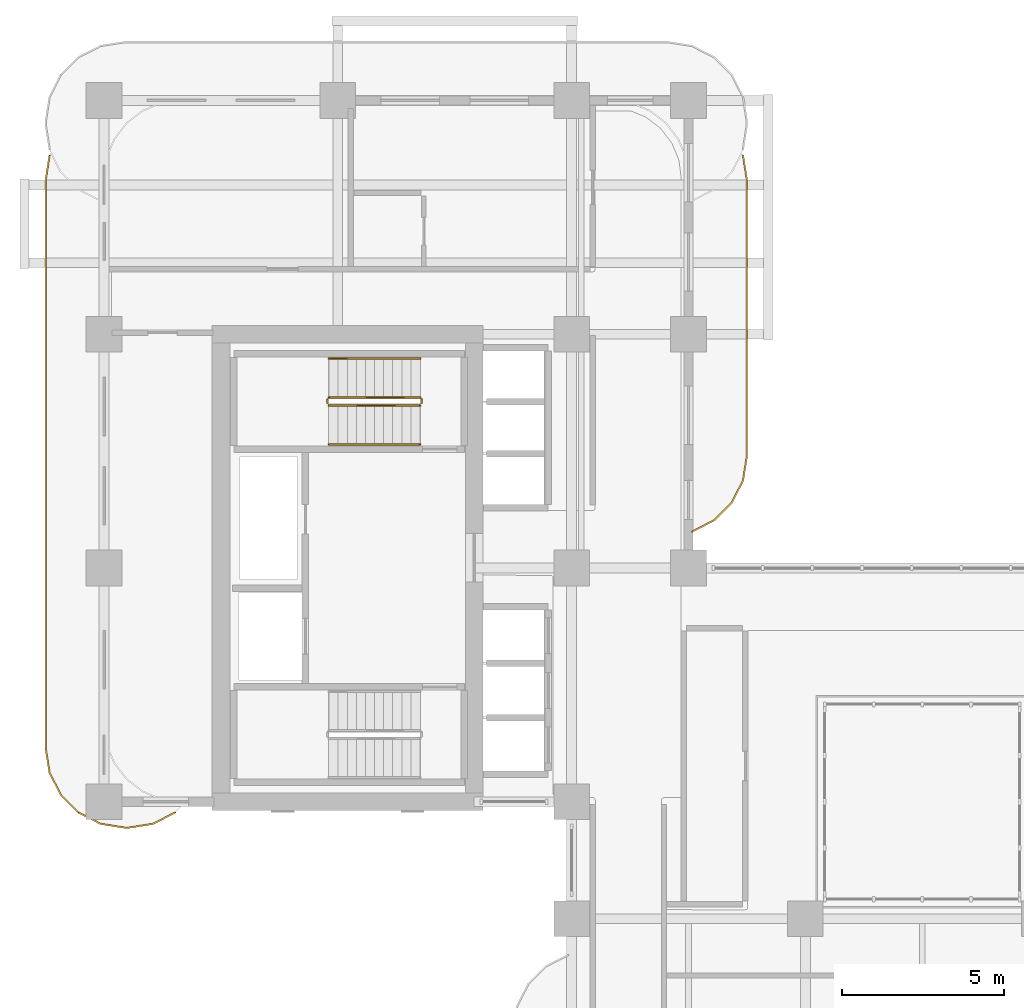
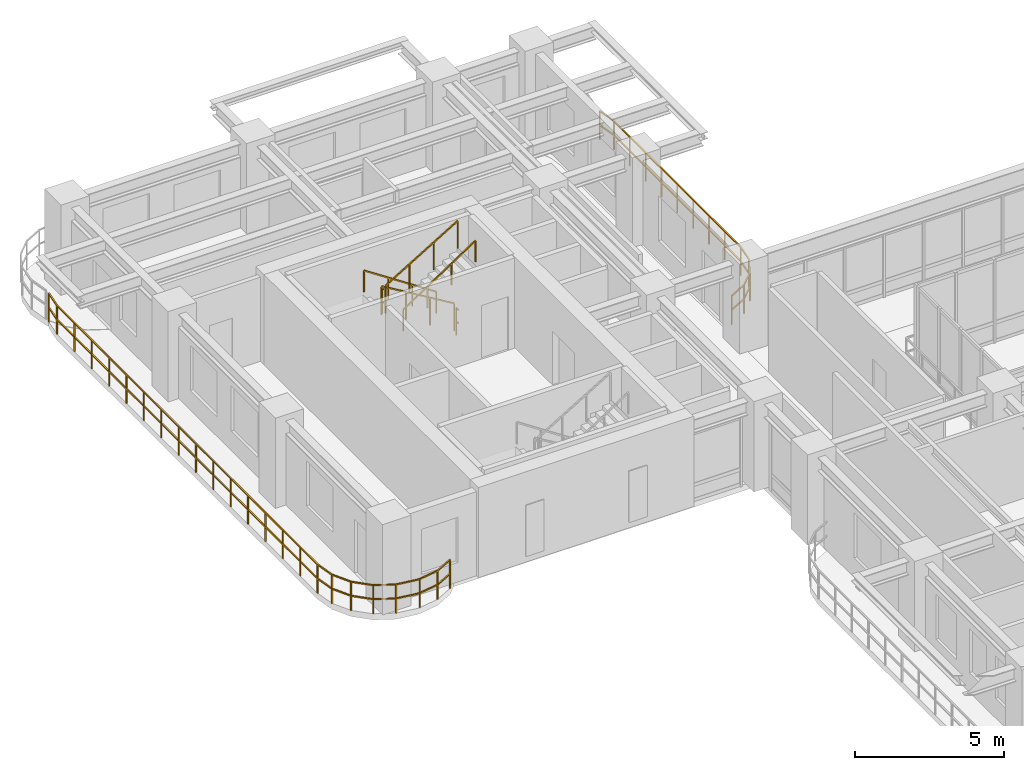
# One storey, part 21 of 22: 8 railings.
"""IFC4 building model written with IfcOpenShell, lengths in metres."""

import ifcopenshell
import ifcopenshell.guid

model = None  # the IFC model being written
_history = None  # IfcOwnerHistory: only IFC2X3 demands one
_inside = {}  # id of a spatial element -> (the spatial element, [elements in it])
_under = {}  # id of a project, library or spatial element -> (it, [spatial elements below it])
_declared = {}  # id of a project -> (the project, [libraries it declares])
_typed = {}  # id of a type object -> (the type object, [elements of that type])
_made_of = {}  # id of a material, layer set ... -> (it, [elements and type objects made of it])


def new_model(schema):
    """Start an empty IFC model of exactly this schema.

    Asked for "IFC4X3", IfcOpenShell would pick the latest addendum, in which some entities
    have other attributes; the version numbers below select the first issue.
    IFC2X3 requires an IfcOwnerHistory on every rooted entity: one is made here for all.
    """
    global model, _history
    if schema == "IFC4X3":
        model = ifcopenshell.file(schema_version=(4, 3, 0, 0))
    else:
        model = ifcopenshell.file(schema=schema)
    _inside.clear()
    _under.clear()
    _declared.clear()
    _typed.clear()
    _made_of.clear()
    _history = None
    if model.schema == "IFC2X3":
        org = make("IfcOrganization", Name="unknown")
        user = make(
            "IfcPersonAndOrganization",
            ThePerson=make("IfcPerson", FamilyName="unknown"),
            TheOrganization=org,
        )
        app = make(
            "IfcApplication",
            ApplicationDeveloper=org,
            Version="unknown",
            ApplicationFullName="unknown",
            ApplicationIdentifier="unknown",
        )
        _history = make(
            "IfcOwnerHistory",
            OwningUser=user,
            OwningApplication=app,
            ChangeAction="ADDED",
            CreationDate=0,
        )
    return model


def make(cls, **values):
    """One entity of the class cls with the attributes given. An attribute that is None is left unset."""
    return model.create_entity(
        cls, **{name: value for name, value in values.items() if value is not None}
    )


def rooted(cls, **values):
    """An entity with a GlobalId (a new one), such as an element, a storey or a relation."""
    return make(cls, GlobalId=ifcopenshell.guid.new(), OwnerHistory=_history, **values)


def si_unit(unit_type, name, prefix=None):
    """IfcSIUnit, for example si_unit("LENGTHUNIT", "METRE", prefix="MILLI")."""
    return make("IfcSIUnit", UnitType=unit_type, Prefix=prefix, Name=name)


def derived_unit(unit_type, elements):
    """IfcDerivedUnit: a product of units, each with its exponent."""
    return make(
        "IfcDerivedUnit",
        Elements=[
            make("IfcDerivedUnitElement", Unit=unit, Exponent=power)
            for unit, power in elements
        ],
        UnitType=unit_type,
    )


def assignment(units):
    """IfcUnitAssignment: the units of a project."""
    return None if units is None else make("IfcUnitAssignment", Units=units)


def point(xyz):
    """IfcCartesianPoint."""
    return None if xyz is None else make("IfcCartesianPoint", Coordinates=xyz)


def direction(xyz):
    """IfcDirection."""
    return None if xyz is None else make("IfcDirection", DirectionRatios=xyz)


def frame(location, z_axis=None, x_axis=None):
    """IfcAxis2Placement3D, a coordinate frame: its origin and axes. An axis left out is left unset."""
    return make(
        "IfcAxis2Placement3D",
        Location=point(location),
        Axis=direction(z_axis),
        RefDirection=direction(x_axis),
    )


def frame_2d(location, x_axis=None):
    """IfcAxis2Placement2D, a coordinate frame in the plane: its origin and x axis."""
    return make(
        "IfcAxis2Placement2D", Location=point(location), RefDirection=direction(x_axis)
    )


def origin():
    """The frame at (0, 0, 0) with its axes left unset."""
    return frame((0.0, 0.0, 0.0))


def origin_2d():
    """The frame at (0, 0) in the plane with its x axis left unset."""
    return frame_2d((0.0, 0.0))


def place(relative_to, where):
    """IfcLocalPlacement: puts the frame where relative to a parent placement (None: the world)."""
    return make(
        "IfcLocalPlacement", PlacementRelTo=relative_to, RelativePlacement=where
    )


def context(
    kind, dimensions, precision=None, world=None, true_north=None, identifier=None
):
    """IfcGeometricRepresentationContext, for example the 3D "Model" context."""
    return make(
        "IfcGeometricRepresentationContext",
        ContextIdentifier=identifier,
        ContextType=kind,
        CoordinateSpaceDimension=dimensions,
        Precision=precision,
        WorldCoordinateSystem=world,
        TrueNorth=true_north,
    )


def subcontext(parent, identifier, kind, view, scale=None):
    """IfcGeometricRepresentationSubContext, for example "Body" below "Model"."""
    return make(
        "IfcGeometricRepresentationSubContext",
        ContextIdentifier=identifier,
        ContextType=kind,
        ParentContext=parent,
        TargetScale=scale,
        TargetView=view,
    )


def project(units=None, contexts=None):
    """IfcProject with its units and contexts."""
    return rooted(
        "IfcProject",
        Name="project",
        RepresentationContexts=contexts,
        UnitsInContext=assignment(units),
    )


def spatial(cls, under=None, at=None, **own):
    """A site, building, storey or space (cls), placed at a placement, below another one or the project."""
    s = rooted(cls, ObjectPlacement=at, **own)
    if under is not None:
        _under.setdefault(under.id(), (under, []))[1].append(s)
    return s


def profile(cls, at=None, kind="AREA", **sizes):
    """A parametric profile (cls). Its sizes go by their IFC names, for example OverallWidth=200.0."""
    return make(cls, ProfileType=kind, Position=at, **sizes)


def rectangle(**sizes):
    """IfcRectangleProfileDef."""
    return profile("IfcRectangleProfileDef", **sizes)


def extrude(swept, where, along, depth):
    """IfcExtrudedAreaSolid: the profile swept, set in the frame where, extruded along a direction by depth."""
    return make(
        "IfcExtrudedAreaSolid",
        SweptArea=swept,
        Position=where,
        ExtrudedDirection=direction(along),
        Depth=depth,
    )


def shape(context_of_items, identifier, shape_type, items):
    """IfcShapeRepresentation: the items that make up one representation, for example the "Body"."""
    return make(
        "IfcShapeRepresentation",
        ContextOfItems=context_of_items,
        RepresentationIdentifier=identifier,
        RepresentationType=shape_type,
        Items=items,
    )


def material(Name=None, Category=None):
    """IfcMaterial."""
    return make("IfcMaterial", Name=Name, Category=Category)


def made_of(thing, what):
    """Note that an element or type object is made of a material, layer set ...; save() writes the relation."""
    if what is not None:
        _made_of.setdefault(what.id(), (what, []))[1].append(thing)
    return thing


def type_object(cls, material=None, **own):
    """A type object (cls), such as IfcWallType, which elements share."""
    return made_of(rooted(cls, **own), material)


def element(
    cls,
    number,
    at=None,
    inside=None,
    cuts=None,
    type_object=None,
    material=None,
    context=None,
    identifier="Body",
    shape_type=None,
    held_by="IfcProductDefinitionShape",
    body=None,
    shapes=None,
    **own,
):
    """One element of the class cls, such as IfcWall. Its Tag is "e" and its number.

    at: its placement. inside: the storey or other place that contains it. cuts: it is an
    opening in that element (IfcRelVoidsElement). A single representation is given by context,
    identifier, shape_type and body (its items); several are given by shapes. held_by: the class
    of the entity that holds the representations. save() writes the other relations.
    """
    e = rooted(cls, Tag="e%d" % number, ObjectPlacement=at, **own)
    if body is not None:
        shapes = [shape(context, identifier, shape_type, body)]
    if shapes is not None:
        e.Representation = make(held_by, Representations=shapes)
    if inside is not None:
        _inside.setdefault(inside.id(), (inside, []))[1].append(e)
    if cuts is not None:
        rooted(
            "IfcRelVoidsElement", RelatingBuildingElement=cuts, RelatedOpeningElement=e
        )
    if type_object is not None:
        _typed.setdefault(type_object.id(), (type_object, []))[1].append(e)
    return made_of(e, material)


def aggregate(whole, parts):
    """IfcRelAggregates: a whole, such as a stair, and the parts it consists of."""
    return rooted("IfcRelAggregates", RelatingObject=whole, RelatedObjects=parts)


def save(model, path):
    """Write the relations noted so far, then the file.

    IfcRelAggregates (storeys below a building ...), IfcRelContainedInSpatialStructure (elements
    in a storey), IfcRelDefinesByType, IfcRelAssociatesMaterial and IfcRelDeclares: one each for
    every whole, place, type object, material and project.
    """
    for whole, parts in _under.values():
        aggregate(whole, parts)
    for where, things in _inside.values():
        rooted(
            "IfcRelContainedInSpatialStructure",
            RelatedElements=things,
            RelatingStructure=where,
        )
    for kind, things in _typed.values():
        rooted("IfcRelDefinesByType", RelatedObjects=things, RelatingType=kind)
    for what, things in _made_of.values():
        rooted("IfcRelAssociatesMaterial", RelatedObjects=things, RelatingMaterial=what)
    for by, libraries in _declared.values():
        rooted("IfcRelDeclares", RelatingContext=by, RelatedDefinitions=libraries)
    model.write(path)


model = new_model("IFC4")

# Units and contexts
model_context = context("Model", 3, precision=1e-05, world=origin(), true_north=direction((0.0, 1.0)))
body_context = subcontext(model_context, "Body", "Model", "MODEL_VIEW")
ifc_project = project(units=[si_unit("LENGTHUNIT", "METRE"), si_unit("AREAUNIT", "SQUARE_METRE"), si_unit("VOLUMEUNIT", "CUBIC_METRE"), si_unit("PLANEANGLEUNIT", "RADIAN"), si_unit("MASSUNIT", "GRAM", prefix="KILO"), si_unit("THERMODYNAMICTEMPERATUREUNIT", "KELVIN"), si_unit("POWERUNIT", "WATT"), derived_unit("THERMALTRANSMITTANCEUNIT", [(si_unit("POWERUNIT", "WATT"), 1), (si_unit("AREAUNIT", "SQUARE_METRE"), -1), (si_unit("THERMODYNAMICTEMPERATUREUNIT", "KELVIN"), -1)])], contexts=[model_context])

# Site, building, storey
site_placement = place(None, origin())
site = spatial("IfcSite", under=ifc_project, at=site_placement, CompositionType="ELEMENT")
building_placement = place(site_placement, origin())
building = spatial("IfcBuilding", under=site, at=building_placement, Name="Zahravan Archway Hotel and Residences", CompositionType="ELEMENT")
storey_placement = place(building_placement, frame((0.0, 0.0, 73.10009765625)))
storey = spatial("IfcBuildingStorey", under=building, at=storey_placement, Name="L17", CompositionType="ELEMENT", Elevation=73.10009765625)

# Railings
ifc_material_1 = material(Name="Bronze & Laminated Glass Balustrade", Category="glass")
railing_type_1 = type_object("IfcRailingType", Name="RL-BAL-1200", PredefinedType="BALUSTRADE", material=ifc_material_1)
railing_1_placement = place(storey_placement, frame((2.190185546875, 24.867919921875, 0.0)))
element("IfcRailing", 1, at=railing_1_placement, inside=storey, type_object=railing_type_1, Name="L17 Balustrade RL-SLB-BAL-L17-WB-1", PredefinedType="BALUSTRADE", context=body_context, shape_type="SweptSolid", body=[
    extrude(rectangle(XDim=0.048095703125, YDim=0.048095703125, at=origin_2d()), frame((0.0, 0.0, 1.17578125), z_axis=(-0.891090529897, -0.453825591531, 0.0), x_axis=(0.453825591531, -0.891090529897, 0.0)), (0.0, 0.0, 1.0), 0.7666015625),
    extrude(rectangle(XDim=0.048095703125, YDim=0.048095703125, at=origin_2d()), frame((0.0, 0.0, 0.60009765625), z_axis=(-0.891090529897, -0.453825591531, 0.0), x_axis=(0.453825591531, -0.891090529897, 0.0)), (0.0, 0.0, 1.0), 0.7666015625),
    extrude(rectangle(XDim=0.048095703125, YDim=0.048095703125, at=origin_2d()), frame((-0.68310546875, -0.347900390625, 1.17578125), z_axis=(-0.987646484274, -0.156698507018, 0.0), x_axis=(0.156698507018, -0.987646484274, 0.0)), (0.0, 0.0, 1.0), 0.7666015625),
    extrude(rectangle(XDim=0.048095703125, YDim=0.048095703125, at=origin_2d()), frame((-0.68310546875, -0.347900390625, 0.60009765625), z_axis=(-0.987646484274, -0.156698507018, 0.0), x_axis=(0.156698507018, -0.987646484274, 0.0)), (0.0, 0.0, 1.0), 0.7666015625),
    extrude(rectangle(XDim=0.048095703125, YDim=0.048095703125, at=origin_2d()), frame((-1.440185546875, -0.468017578125, 1.17578125), z_axis=(-1.0, 0.0, 0.0), x_axis=(0.0, -1.0, 0.0)), (0.0, 0.0, 1.0), 0.10009765625),
    extrude(rectangle(XDim=0.048095703125, YDim=0.048095703125, at=origin_2d()), frame((-1.440185546875, -0.468017578125, 0.60009765625), z_axis=(-1.0, 0.0, 0.0), x_axis=(0.0, -1.0, 0.0)), (0.0, 0.0, 1.0), 0.10009765625),
    extrude(rectangle(XDim=0.048095703125, YDim=0.048095703125, at=origin_2d()), frame((-1.540283203125, -0.468017578125, 1.17578125), z_axis=(-0.987646484274, 0.156698507018, 0.0), x_axis=(-0.156698507018, -0.987646484274, 0.0)), (0.0, 0.0, 1.0), 0.7666015625),
    extrude(rectangle(XDim=0.048095703125, YDim=0.048095703125, at=origin_2d()), frame((-1.540283203125, -0.468017578125, 0.60009765625), z_axis=(-0.987646484274, 0.156698507018, 0.0), x_axis=(-0.156698507018, -0.987646484274, 0.0)), (0.0, 0.0, 1.0), 0.7666015625),
    extrude(rectangle(XDim=0.048095703125, YDim=0.048095703125, at=origin_2d()), frame((-2.29736328125, -0.347900390625, 1.17578125), z_axis=(-0.891024909783, 0.453954414172, 0.0), x_axis=(-0.453954414172, -0.891024909783, 0.0)), (0.0, 0.0, 1.0), 0.766357421875),
    extrude(rectangle(XDim=0.048095703125, YDim=0.048095703125, at=origin_2d()), frame((-2.29736328125, -0.347900390625, 0.60009765625), z_axis=(-0.891024909783, 0.453954414172, 0.0), x_axis=(-0.453954414172, -0.891024909783, 0.0)), (0.0, 0.0, 1.0), 0.766357421875),
    extrude(rectangle(XDim=0.048095703125, YDim=0.048095703125, at=origin_2d()), frame((-2.980224609375, 0.0, 1.17578125), z_axis=(-0.707106781187, 0.707106781187, 0.0), x_axis=(-0.707106781187, -0.707106781187, 0.0)), (0.0, 0.0, 1.0), 0.7666015625),
    extrude(rectangle(XDim=0.048095703125, YDim=0.048095703125, at=origin_2d()), frame((-2.980224609375, 0.0, 0.60009765625), z_axis=(-0.707106781187, 0.707106781187, 0.0), x_axis=(-0.707106781187, -0.707106781187, 0.0)), (0.0, 0.0, 1.0), 0.7666015625),
    extrude(rectangle(XDim=0.048095703125, YDim=0.048095703125, at=origin_2d()), frame((-3.522216796875, 0.5419921875, 1.17578125), z_axis=(-0.454078418624, 0.890961721815, 0.0), x_axis=(-0.890961721815, -0.454078418624, 0.0)), (0.0, 0.0, 1.0), 0.7666015625),
    extrude(rectangle(XDim=0.048095703125, YDim=0.048095703125, at=origin_2d()), frame((-3.522216796875, 0.5419921875, 0.60009765625), z_axis=(-0.454078418624, 0.890961721815, 0.0), x_axis=(-0.890961721815, -0.454078418624, 0.0)), (0.0, 0.0, 1.0), 0.7666015625),
    extrude(rectangle(XDim=0.048095703125, YDim=0.048095703125, at=origin_2d()), frame((-3.870361328125, 1.22509765625, 1.17578125), z_axis=(-0.156387811283, 0.987695728695, 0.0), x_axis=(-0.987695728695, -0.156387811283, 0.0)), (0.0, 0.0, 1.0), 0.7666015625),
    extrude(rectangle(XDim=0.048095703125, YDim=0.048095703125, at=origin_2d()), frame((-3.870361328125, 1.22509765625, 0.60009765625), z_axis=(-0.156387811283, 0.987695728695, 0.0), x_axis=(-0.987695728695, -0.156387811283, 0.0)), (0.0, 0.0, 1.0), 0.7666015625),
    extrude(rectangle(XDim=0.048095703125, YDim=0.048095703125, at=origin_2d()), frame((-3.990234375, 1.982177734375, 1.17578125), z_axis=(0.0, 1.0, 0.0), x_axis=(-1.0, 0.0, 0.0)), (0.0, 0.0, 1.0), 17.5),
    extrude(rectangle(XDim=0.048095703125, YDim=0.048095703125, at=origin_2d()), frame((-3.990234375, 1.982177734375, 0.60009765625), z_axis=(0.0, 1.0, 0.0), x_axis=(-1.0, 0.0, 0.0)), (0.0, 0.0, 1.0), 17.5),
    extrude(rectangle(XDim=0.048095703125, YDim=0.048095703125, at=origin_2d()), frame((-3.990234375, 19.482177734375, 1.17578125), z_axis=(0.156387811283, 0.987695728695, 0.0), x_axis=(-0.987695728695, 0.156387811283, 0.0)), (0.0, 0.0, 1.0), 0.7666015625),
    extrude(rectangle(XDim=0.048095703125, YDim=0.048095703125, at=origin_2d()), frame((-3.990234375, 19.482177734375, 0.60009765625), z_axis=(0.156387811283, 0.987695728695, 0.0), x_axis=(-0.987695728695, 0.156387811283, 0.0)), (0.0, 0.0, 1.0), 0.7666015625),
    extrude(rectangle(XDim=0.0419921875, YDim=0.0419921875, at=origin_2d()), origin(), (0.0, 0.0, 1.0), 1.15185546875),
    extrude(rectangle(XDim=0.0419921875, YDim=0.0419921875, at=origin_2d()), frame((-0.68310546875, -0.347900390625, 0.0)), (0.0, 0.0, 1.0), 1.15185546875),
    extrude(rectangle(XDim=0.0419921875, YDim=0.0419921875, at=origin_2d()), frame((-1.440185546875, -0.468017578125, 0.0)), (0.0, 0.0, 1.0), 1.15185546875),
    extrude(rectangle(XDim=0.0419921875, YDim=0.0419921875, at=origin_2d()), frame((-2.29736328125, -0.347900390625, 0.0)), (0.0, 0.0, 1.0), 1.15185546875),
    extrude(rectangle(XDim=0.0419921875, YDim=0.0419921875, at=origin_2d()), frame((-2.980224609375, 0.0, 0.0)), (0.0, 0.0, 1.0), 1.15185546875),
    extrude(rectangle(XDim=0.0419921875, YDim=0.0419921875, at=origin_2d()), frame((-3.522216796875, 0.5419921875, 0.0)), (0.0, 0.0, 1.0), 1.15185546875),
    extrude(rectangle(XDim=0.0419921875, YDim=0.0419921875, at=origin_2d()), frame((-3.870361328125, 1.22509765625, 0.0)), (0.0, 0.0, 1.0), 1.15185546875),
    extrude(rectangle(XDim=0.0419921875, YDim=0.0419921875, at=origin_2d()), frame((-3.990234375, 1.982177734375, 0.0)), (0.0, 0.0, 1.0), 1.15185546875),
    extrude(rectangle(XDim=0.0419921875, YDim=0.0419921875, at=origin_2d()), frame((-3.990234375, 3.14892578125, 0.0)), (0.0, 0.0, 1.0), 1.15185546875),
    extrude(rectangle(XDim=0.0419921875, YDim=0.0419921875, at=origin_2d()), frame((-3.990234375, 4.3154296875, 0.0)), (0.0, 0.0, 1.0), 1.15185546875),
    extrude(rectangle(XDim=0.0419921875, YDim=0.0419921875, at=origin_2d()), frame((-3.990234375, 5.482177734375, 0.0)), (0.0, 0.0, 1.0), 1.15185546875),
    extrude(rectangle(XDim=0.0419921875, YDim=0.0419921875, at=origin_2d()), frame((-3.990234375, 6.64892578125, 0.0)), (0.0, 0.0, 1.0), 1.15185546875),
    extrude(rectangle(XDim=0.0419921875, YDim=0.0419921875, at=origin_2d()), frame((-3.990234375, 7.8154296875, 0.0)), (0.0, 0.0, 1.0), 1.15185546875),
    extrude(rectangle(XDim=0.0419921875, YDim=0.0419921875, at=origin_2d()), frame((-3.990234375, 8.982177734375, 0.0)), (0.0, 0.0, 1.0), 1.15185546875),
    extrude(rectangle(XDim=0.0419921875, YDim=0.0419921875, at=origin_2d()), frame((-3.990234375, 10.14892578125, 0.0)), (0.0, 0.0, 1.0), 1.15185546875),
    extrude(rectangle(XDim=0.0419921875, YDim=0.0419921875, at=origin_2d()), frame((-3.990234375, 11.3154296875, 0.0)), (0.0, 0.0, 1.0), 1.15185546875),
    extrude(rectangle(XDim=0.0419921875, YDim=0.0419921875, at=origin_2d()), frame((-3.990234375, 12.482177734375, 0.0)), (0.0, 0.0, 1.0), 1.15185546875),
    extrude(rectangle(XDim=0.0419921875, YDim=0.0419921875, at=origin_2d()), frame((-3.990234375, 13.64892578125, 0.0)), (0.0, 0.0, 1.0), 1.15185546875),
    extrude(rectangle(XDim=0.0419921875, YDim=0.0419921875, at=origin_2d()), frame((-3.990234375, 14.8154296875, 0.0)), (0.0, 0.0, 1.0), 1.15185546875),
    extrude(rectangle(XDim=0.0419921875, YDim=0.0419921875, at=origin_2d()), frame((-3.990234375, 15.982177734375, 0.0)), (0.0, 0.0, 1.0), 1.15185546875),
    extrude(rectangle(XDim=0.0419921875, YDim=0.0419921875, at=origin_2d()), frame((-3.990234375, 17.14892578125, 0.0)), (0.0, 0.0, 1.0), 1.15185546875),
    extrude(rectangle(XDim=0.0419921875, YDim=0.0419921875, at=origin_2d()), frame((-3.990234375, 18.3154296875, 0.0)), (0.0, 0.0, 1.0), 1.15185546875),
    extrude(rectangle(XDim=0.0419921875, YDim=0.0419921875, at=origin_2d()), frame((-3.990234375, 19.482177734375, 0.0)), (0.0, 0.0, 1.0), 1.15185546875),
    extrude(rectangle(XDim=0.0419921875, YDim=0.0419921875, at=origin_2d()), frame((-3.870361328125, 20.2392578125, 0.0)), (0.0, 0.0, 1.0), 1.15185546875),
])
railing_2_placement = place(storey_placement, frame((19.68017578125, 45.107177734375, 0.0)))
element("IfcRailing", 2, at=railing_2_placement, inside=storey, type_object=railing_type_1, Name="L17 Balustrade RL-SLB-BAL-L17-EB-1", PredefinedType="BALUSTRADE", context=body_context, shape_type="SweptSolid", body=[
    extrude(rectangle(XDim=0.048095703125, YDim=0.048095703125, at=origin_2d()), frame((0.0, 0.0, 1.17578125), z_axis=(0.156387811283, -0.987695728695, 0.0), x_axis=(0.987695728695, 0.156387811283, 0.0)), (0.0, 0.0, 1.0), 0.7666015625),
    extrude(rectangle(XDim=0.048095703125, YDim=0.048095703125, at=origin_2d()), frame((0.0, 0.0, 0.60009765625), z_axis=(0.156387811283, -0.987695728695, 0.0), x_axis=(0.987695728695, 0.156387811283, 0.0)), (0.0, 0.0, 1.0), 0.7666015625),
    extrude(rectangle(XDim=0.048095703125, YDim=0.048095703125, at=origin_2d()), frame((0.119873046875, -0.757080078125, 1.17578125), z_axis=(0.0, -1.0, 0.0), x_axis=(1.0, 0.0, 0.0)), (0.0, 0.0, 1.0), 8.5),
    extrude(rectangle(XDim=0.048095703125, YDim=0.048095703125, at=origin_2d()), frame((0.119873046875, -0.757080078125, 0.60009765625), z_axis=(0.0, -1.0, 0.0), x_axis=(1.0, 0.0, 0.0)), (0.0, 0.0, 1.0), 8.5),
    extrude(rectangle(XDim=0.048095703125, YDim=0.048095703125, at=origin_2d()), frame((0.119873046875, -9.257080078125, 1.17578125), z_axis=(-0.156387811283, -0.987695728695, 0.0), x_axis=(0.987695728695, -0.156387811283, 0.0)), (0.0, 0.0, 1.0), 0.7666015625),
    extrude(rectangle(XDim=0.048095703125, YDim=0.048095703125, at=origin_2d()), frame((0.119873046875, -9.257080078125, 0.60009765625), z_axis=(-0.156387811283, -0.987695728695, 0.0), x_axis=(0.987695728695, -0.156387811283, 0.0)), (0.0, 0.0, 1.0), 0.7666015625),
    extrude(rectangle(XDim=0.048095703125, YDim=0.048095703125, at=origin_2d()), frame((0.0, -10.01416015625, 1.17578125), z_axis=(-0.454078418624, -0.890961721815, 0.0), x_axis=(0.890961721815, -0.454078418624, 0.0)), (0.0, 0.0, 1.0), 0.7666015625),
    extrude(rectangle(XDim=0.048095703125, YDim=0.048095703125, at=origin_2d()), frame((0.0, -10.01416015625, 0.60009765625), z_axis=(-0.454078418624, -0.890961721815, 0.0), x_axis=(0.890961721815, -0.454078418624, 0.0)), (0.0, 0.0, 1.0), 0.7666015625),
    extrude(rectangle(XDim=0.048095703125, YDim=0.048095703125, at=origin_2d()), frame((-0.34814453125, -10.697265625, 1.17578125), z_axis=(-0.707106781187, -0.707106781187, 0.0), x_axis=(0.707106781187, -0.707106781187, 0.0)), (0.0, 0.0, 1.0), 0.7666015625),
    extrude(rectangle(XDim=0.048095703125, YDim=0.048095703125, at=origin_2d()), frame((-0.34814453125, -10.697265625, 0.60009765625), z_axis=(-0.707106781187, -0.707106781187, 0.0), x_axis=(0.707106781187, -0.707106781187, 0.0)), (0.0, 0.0, 1.0), 0.7666015625),
    extrude(rectangle(XDim=0.048095703125, YDim=0.048095703125, at=origin_2d()), frame((-0.89013671875, -11.2392578125, 1.17578125), z_axis=(-0.891024909783, -0.453954414172, 0.0), x_axis=(0.453954414172, -0.891024909783, 0.0)), (0.0, 0.0, 1.0), 0.766357421875),
    extrude(rectangle(XDim=0.048095703125, YDim=0.048095703125, at=origin_2d()), frame((-0.89013671875, -11.2392578125, 0.60009765625), z_axis=(-0.891024909783, -0.453954414172, 0.0), x_axis=(0.453954414172, -0.891024909783, 0.0)), (0.0, 0.0, 1.0), 0.766357421875),
    extrude(rectangle(XDim=0.0419921875, YDim=0.0419921875, at=origin_2d()), origin(), (0.0, 0.0, 1.0), 1.15185546875),
    extrude(rectangle(XDim=0.0419921875, YDim=0.0419921875, at=origin_2d()), frame((0.119873046875, -0.757080078125, 0.0)), (0.0, 0.0, 1.0), 1.15185546875),
    extrude(rectangle(XDim=0.0419921875, YDim=0.0419921875, at=origin_2d()), frame((0.119873046875, -1.819580078125, 0.0)), (0.0, 0.0, 1.0), 1.15185546875),
    extrude(rectangle(XDim=0.0419921875, YDim=0.0419921875, at=origin_2d()), frame((0.119873046875, -2.882080078125, 0.0)), (0.0, 0.0, 1.0), 1.15185546875),
    extrude(rectangle(XDim=0.0419921875, YDim=0.0419921875, at=origin_2d()), frame((0.119873046875, -3.944580078125, 0.0)), (0.0, 0.0, 1.0), 1.15185546875),
    extrude(rectangle(XDim=0.0419921875, YDim=0.0419921875, at=origin_2d()), frame((0.119873046875, -5.007080078125, 0.0)), (0.0, 0.0, 1.0), 1.15185546875),
    extrude(rectangle(XDim=0.0419921875, YDim=0.0419921875, at=origin_2d()), frame((0.119873046875, -6.069580078125, 0.0)), (0.0, 0.0, 1.0), 1.15185546875),
    extrude(rectangle(XDim=0.0419921875, YDim=0.0419921875, at=origin_2d()), frame((0.119873046875, -7.132080078125, 0.0)), (0.0, 0.0, 1.0), 1.15185546875),
    extrude(rectangle(XDim=0.0419921875, YDim=0.0419921875, at=origin_2d()), frame((0.119873046875, -8.194580078125, 0.0)), (0.0, 0.0, 1.0), 1.15185546875),
    extrude(rectangle(XDim=0.0419921875, YDim=0.0419921875, at=origin_2d()), frame((0.119873046875, -9.257080078125, 0.0)), (0.0, 0.0, 1.0), 1.15185546875),
    extrude(rectangle(XDim=0.0419921875, YDim=0.0419921875, at=origin_2d()), frame((0.0, -10.01416015625, 0.0)), (0.0, 0.0, 1.0), 1.15185546875),
    extrude(rectangle(XDim=0.0419921875, YDim=0.0419921875, at=origin_2d()), frame((-0.34814453125, -10.697265625, 0.0)), (0.0, 0.0, 1.0), 1.15185546875),
    extrude(rectangle(XDim=0.0419921875, YDim=0.0419921875, at=origin_2d()), frame((-0.89013671875, -11.2392578125, 0.0)), (0.0, 0.0, 1.0), 1.15185546875),
    extrude(rectangle(XDim=0.0419921875, YDim=0.0419921875, at=origin_2d()), frame((-1.572998046875, -11.587158203125, 0.0)), (0.0, 0.0, 1.0), 1.15185546875),
])
ifc_material_2 = material(Name="Painted Tubular Steel", Category="steel")
railing_type_2 = type_object("IfcRailingType", Name="RL-STG-1150", PredefinedType="GUARDRAIL", material=ifc_material_2)
railing_3_placement = place(storey_placement, frame((9.72998046875, 37.64990234375, 0.16796875)))
element("IfcRailing", 3, at=railing_3_placement, inside=storey, type_object=railing_type_2, Name="L17 ST-B2 stair guard 1", PredefinedType="GUARDRAIL", context=body_context, shape_type="SweptSolid", body=[
    extrude(rectangle(XDim=0.048095703125, YDim=0.048095703125, at=origin_2d()), frame((0.0, 0.0, 1.1259765625), z_axis=(-0.857242210791, 0.0, 0.514913383045), x_axis=(0.0, -1.0, 0.0)), (0.0, 0.0, 1.0), 3.266357421875),
    extrude(rectangle(XDim=0.0419921875, YDim=0.0419921875, at=origin_2d()), origin(), (0.0, 0.0, 1.0), 1.101806640625),
    extrude(rectangle(XDim=0.0419921875, YDim=0.0419921875, at=origin_2d()), frame((-0.933349609375, 0.0, 0.560546875)), (0.0, 0.0, 1.0), 1.101806640625),
    extrude(rectangle(XDim=0.0419921875, YDim=0.0419921875, at=origin_2d()), frame((-1.86669921875, 0.0, 1.121337890625)), (0.0, 0.0, 1.0), 1.101806640625),
    extrude(rectangle(XDim=0.0419921875, YDim=0.0419921875, at=origin_2d()), frame((-2.800048828125, 0.0, 1.681884765625)), (0.0, 0.0, 1.0), 1.101806640625),
])
railing_4_placement = place(storey_placement, frame((6.8798828125, 37.60009765625, 1.849853515625)))
element("IfcRailing", 4, at=railing_4_placement, inside=storey, type_object=railing_type_2, Name="L17 ST-B2 stair guard 2", PredefinedType="GUARDRAIL", context=body_context, shape_type="SweptSolid", body=[
    extrude(rectangle(XDim=0.048095703125, YDim=0.048095703125, at=origin_2d()), frame((0.0, 0.0, 1.1259765625), z_axis=(0.0, -1.0, 0.0), x_axis=(1.0, 0.0, 0.0)), (0.0, 0.0, 1.0), 0.14013671875),
    extrude(rectangle(XDim=0.048095703125, YDim=0.048095703125, at=origin_2d()), frame((0.0, 0.0, 0.574951171875), z_axis=(0.0, -1.0, 0.0), x_axis=(1.0, 0.0, 0.0)), (0.0, 0.0, 1.0), 0.14013671875),
    extrude(rectangle(XDim=0.0419921875, YDim=0.0419921875, at=origin_2d()), origin(), (0.0, 0.0, 1.0), 1.101806640625),
])
railing_5_placement = place(storey_placement, frame((6.929931640625, 37.409912109375, 2.01806640625)))
element("IfcRailing", 5, at=railing_5_placement, inside=storey, type_object=railing_type_2, Name="L17 ST-B2 stair guard 3", PredefinedType="GUARDRAIL", context=body_context, shape_type="SweptSolid", body=[
    extrude(rectangle(XDim=0.048095703125, YDim=0.048095703125, at=origin_2d()), frame((0.0, 0.0, 1.1259765625), z_axis=(0.857242210791, 0.0, 0.514913383045), x_axis=(0.0, 1.0, 0.0)), (0.0, 0.0, 1.0), 3.266357421875),
    extrude(rectangle(XDim=0.0419921875, YDim=0.0419921875, at=origin_2d()), origin(), (0.0, 0.0, 1.0), 1.101806640625),
    extrude(rectangle(XDim=0.0419921875, YDim=0.0419921875, at=origin_2d()), frame((0.933349609375, 0.0, 0.560546875)), (0.0, 0.0, 1.0), 1.101806640625),
    extrude(rectangle(XDim=0.0419921875, YDim=0.0419921875, at=origin_2d()), frame((1.86669921875, 0.0, 1.121337890625)), (0.0, 0.0, 1.0), 1.101806640625),
    extrude(rectangle(XDim=0.0419921875, YDim=0.0419921875, at=origin_2d()), frame((2.800048828125, 0.0, 1.681884765625)), (0.0, 0.0, 1.0), 1.101806640625),
])
railing_6_placement = place(storey_placement, frame((9.780029296875, 37.60009765625, 0.0)))
element("IfcRailing", 6, at=railing_6_placement, inside=storey, type_object=railing_type_2, Name="L17 ST-B2 stair guard 4", PredefinedType="GUARDRAIL", context=body_context, shape_type="SweptSolid", body=[
    extrude(rectangle(XDim=0.048095703125, YDim=0.048095703125, at=origin_2d()), frame((0.0, 0.0, 1.1259765625), z_axis=(0.0, -1.0, 0.0), x_axis=(1.0, 0.0, 0.0)), (0.0, 0.0, 1.0), 0.14013671875),
    extrude(rectangle(XDim=0.048095703125, YDim=0.048095703125, at=origin_2d()), frame((0.0, 0.0, 0.574951171875), z_axis=(0.0, -1.0, 0.0), x_axis=(1.0, 0.0, 0.0)), (0.0, 0.0, 1.0), 0.14013671875),
    extrude(rectangle(XDim=0.0419921875, YDim=0.0419921875, at=origin_2d()), origin(), (0.0, 0.0, 1.0), 1.101806640625),
])
ifc_material_3 = material(Name="Brushed Stainless Steel", Category="steel")
railing_type_3 = type_object("IfcRailingType", Name="RL-STH-900", PredefinedType="HANDRAIL", material=ifc_material_3)
railing_7_placement = place(storey_placement, frame((9.72998046875, 38.85009765625, 0.16796875)))
element("IfcRailing", 7, at=railing_7_placement, inside=storey, type_object=railing_type_3, Name="L17 ST-B2 stair handrail 1", PredefinedType="HANDRAIL", context=body_context, shape_type="SweptSolid", body=[
    extrude(rectangle(XDim=0.048095703125, YDim=0.048095703125, at=origin_2d()), frame((0.0, 0.0, 0.8759765625), z_axis=(-0.834326358476, 0.0, 0.551270829586), x_axis=(0.0, -1.0, 0.0)), (0.0, 0.0, 1.0), 3.35595703125),
    extrude(rectangle(XDim=0.0419921875, YDim=0.0419921875, at=origin_2d()), origin(), (0.0, 0.0, 1.0), 0.851806640625),
    extrude(rectangle(XDim=0.0419921875, YDim=0.0419921875, at=origin_2d()), frame((-0.933349609375, 0.0, 0.61669921875)), (0.0, 0.0, 1.0), 0.851806640625),
    extrude(rectangle(XDim=0.0419921875, YDim=0.0419921875, at=origin_2d()), frame((-1.86669921875, 0.0, 1.2333984375)), (0.0, 0.0, 1.0), 0.851806640625),
    extrude(rectangle(XDim=0.0419921875, YDim=0.0419921875, at=origin_2d()), frame((-2.800048828125, 0.0, 1.85009765625)), (0.0, 0.0, 1.0), 0.851806640625),
])
railing_8_placement = place(storey_placement, frame((6.929931640625, 36.2099609375, 2.01806640625)))
element("IfcRailing", 8, at=railing_8_placement, inside=storey, type_object=railing_type_3, Name="L17 ST-B2 stair handrail 2", PredefinedType="HANDRAIL", context=body_context, shape_type="SweptSolid", body=[
    extrude(rectangle(XDim=0.048095703125, YDim=0.048095703125, at=origin_2d()), frame((0.0, 0.0, 0.8759765625), z_axis=(0.834326358476, 0.0, 0.551270829586), x_axis=(0.0, 1.0, 0.0)), (0.0, 0.0, 1.0), 3.35595703125),
    extrude(rectangle(XDim=0.0419921875, YDim=0.0419921875, at=origin_2d()), origin(), (0.0, 0.0, 1.0), 0.851806640625),
    extrude(rectangle(XDim=0.0419921875, YDim=0.0419921875, at=origin_2d()), frame((0.933349609375, 0.0, 0.61669921875)), (0.0, 0.0, 1.0), 0.851806640625),
    extrude(rectangle(XDim=0.0419921875, YDim=0.0419921875, at=origin_2d()), frame((1.86669921875, 0.0, 1.2333984375)), (0.0, 0.0, 1.0), 0.851806640625),
    extrude(rectangle(XDim=0.0419921875, YDim=0.0419921875, at=origin_2d()), frame((2.800048828125, 0.0, 1.85009765625)), (0.0, 0.0, 1.0), 0.851806640625),
])

save(model, "model.ifc")
